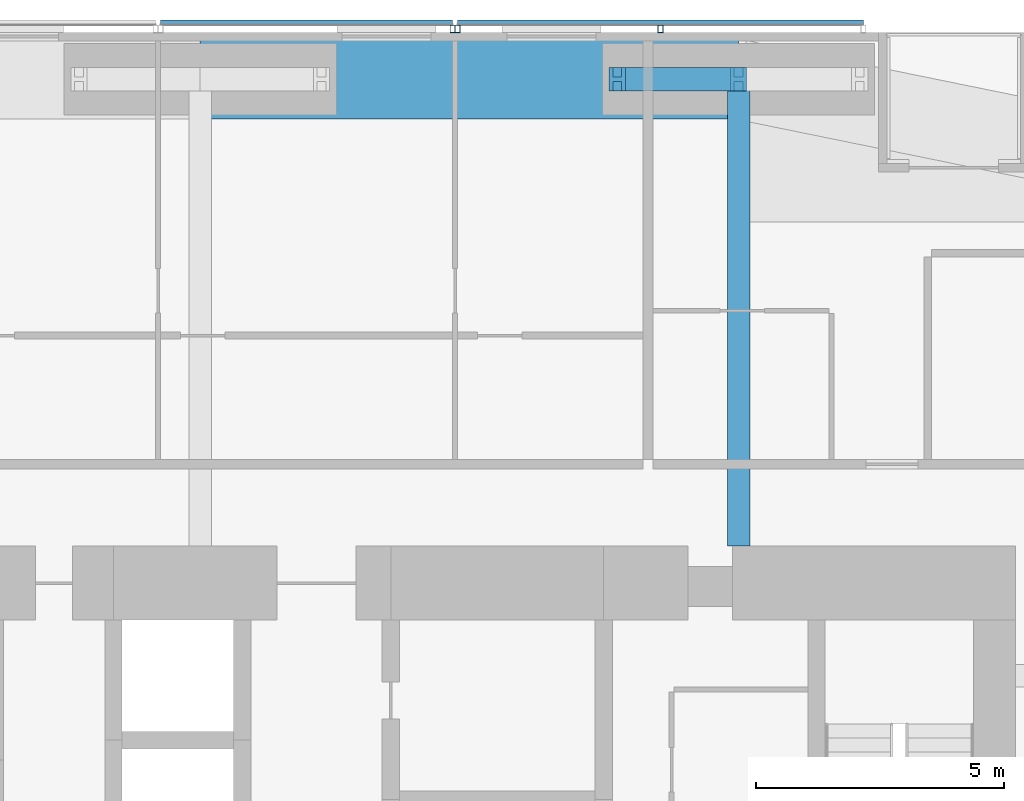
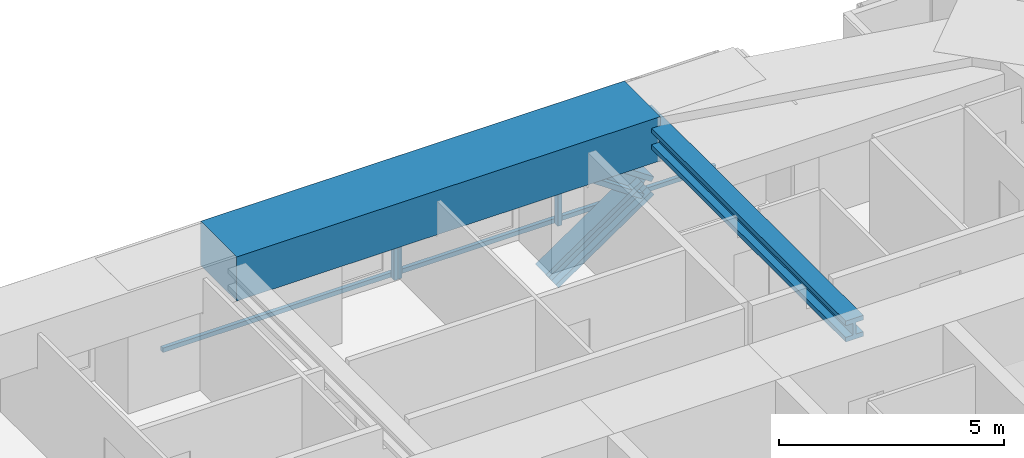
# One storey, part 13 of 23: 7 members, 2 beams, 2 elements without a shape of their own.
"""IFC4 building model written with IfcOpenShell, lengths in metres."""

from ifc_helpers import new_model, si_unit, direction, frame, origin, origin_2d, place, context, subcontext, project, spatial, rectangle, hollow_rectangle, i_section, extrude, material, material_profile, profile_set, type_object, element, aggregate, save


model = new_model("IFC4")

# Units and contexts
model_context = context("Model", 3, precision=1e-05, world=origin(), true_north=direction((0.0, 1.0)))
body_context = subcontext(model_context, "Body", "Model", "MODEL_VIEW")
ifc_project = project(units=[si_unit("LENGTHUNIT", "METRE"), si_unit("AREAUNIT", "SQUARE_METRE"), si_unit("VOLUMEUNIT", "CUBIC_METRE"), si_unit("PLANEANGLEUNIT", "RADIAN"), si_unit("MASSUNIT", "GRAM", prefix="KILO")], contexts=[model_context])

# Site, building, storey
site_placement = place(None, origin())
site = spatial("IfcSite", under=ifc_project, at=site_placement, CompositionType="ELEMENT")
building_placement = place(site_placement, origin())
building = spatial("IfcBuilding", under=site, at=building_placement, Name="Jalousie Tower", CompositionType="ELEMENT")
storey_placement = place(building_placement, frame((0.0, 0.0, 114.89990234375)))
storey = spatial("IfcBuildingStorey", under=building, at=storey_placement, Name="L31", CompositionType="ELEMENT", Elevation=114.89990234375)

# Beam
ifc_material_1 = material(Name="Steel ASTM A992 Grade 50", Category="steel")
ifc_material_profile_1 = material_profile(ifc_material_1, i_section(OverallWidth=0.45458984375, OverallDepth=0.569091796875, WebThickness=0.077880859375, FlangeThickness=0.124755859375, at=origin_2d()), Name="W14X730")
ifc_profile_set_1 = profile_set([ifc_material_profile_1], Name="Steel ASTM A992 Grade 50")
beam_type_1 = type_object("IfcBeamType", Name="LEAN COLLECTOR W14X730", PredefinedType="BEAM", material=ifc_profile_set_1)
beam_1_placement = place(storey_placement, frame((38.625, 37.050048828125, 2.82568359375), z_axis=(0.0, -1.0, 0.0), x_axis=(1.0, 0.0, 0.0)))
element("IfcBeam", 1, at=beam_1_placement, inside=storey, type_object=beam_type_1, Name="Lean collector under L32", PredefinedType="BEAM", context=body_context, shape_type="SweptSolid", body=[
    extrude(i_section(OverallWidth=0.45458984375, OverallDepth=0.569091796875, WebThickness=0.077880859375, FlangeThickness=0.124755859375, at=origin_2d()), origin(), (0.0, 0.0, 1.0), 9.425048828125),
])

# Members
ifc_material_2 = material(Name="Steel ASTM A992 Grade 50", Category="steel")
ifc_material_profile_2 = material_profile(ifc_material_2, i_section(OverallWidth=0.472412109375, OverallDepth=0.5791015625, WebThickness=0.094970703125, FlangeThickness=0.1298828125, at=origin_2d()), Name="W14X808")
ifc_profile_set_2 = profile_set([ifc_material_profile_2], Name="Steel ASTM A992 Grade 50")
member_type_1 = type_object("IfcMemberType", Name="PERIMETER BRACE W14X808", PredefinedType="BRACE", material=ifc_profile_set_2)
for number, where, z_axis, x_axis, name in (
    (2, (36.175048828125, 37.050048828125, -0.599853515625), (0.825500916831, 0.0, 0.564400776321), (0.0, 1.0, 0.0), "Perimeter brace 09 L31 part 1"),
    (3, (38.625, 37.050048828125, 1.0751953125), (-0.825539243753, 0.0, 0.564344714713), (0.0, -1.0, 0.0), "Perimeter brace 09 L31 part 4"),
):
    element("IfcMember", number, at=place(storey_placement, frame(where, z_axis=z_axis, x_axis=x_axis)), inside=storey, type_object=member_type_1, Name=name, PredefinedType="BRACE", context=body_context, shape_type="SweptSolid", body=[
        extrude(i_section(OverallWidth=0.472412109375, OverallDepth=0.5791015625, WebThickness=0.094970703125, FlangeThickness=0.1298828125, at=origin_2d()), origin(), (0.0, 0.0, 1.0), 2.9677734375),
    ])

# Beam
ifc_material_3 = material(Name="Concrete f'c 40 MPa", Category="concrete")
ifc_material_profile_3 = material_profile(ifc_material_3, rectangle(XDim=1.60009765625, YDim=1.199951171875, at=origin_2d()), Name="RC 1600x1200")
ifc_profile_set_3 = profile_set([ifc_material_profile_3], Name="Concrete f'c 40 MPa")
beam_type_2 = type_object("IfcBeamType", Name="RC BEAM 1600x1200", PredefinedType="BEAM", material=ifc_profile_set_3)
beam_2_placement = place(storey_placement, frame((38.625, 37.050048828125, 2.75), z_axis=(-1.0, 0.0, 0.0), x_axis=(0.0, -1.0, 0.0)))
element("IfcBeam", 4, at=beam_2_placement, inside=storey, type_object=beam_type_2, Name="Edge band beam 09-10 under L32", PredefinedType="BEAM", context=body_context, shape_type="SweptSolid", body=[
    extrude(rectangle(XDim=1.60009765625, YDim=1.199951171875, at=origin_2d()), origin(), (0.0, 0.0, 1.0), 10.875),
])

# Curtain wall, members
ifc_material_4 = material(Name="Perforated aluminium sheet", Category="aluminium")
curtain_wall_type = type_object("IfcCurtainWallType", Name="SOLAR SCREEN SS-1", PredefinedType="USERDEFINED", material=ifc_material_4)
curtain_wall_1_placement = place(storey_placement, origin())
curtain_wall_1 = element("IfcCurtainWall", 5, at=curtain_wall_1_placement, inside=storey, type_object=curtain_wall_type, Name="Solar screen L31", ObjectType="SOLAR SCREEN SS-1", PredefinedType="USERDEFINED")
ifc_material_5 = material(Name="Steel ASTM A500 Grade C", Category="steel")
ifc_material_profile_4 = material_profile(ifc_material_5, hollow_rectangle(XDim=0.1015625, YDim=0.15234375, WallThickness=0.00634765625, at=origin_2d()), Name="HSS6X4X1/4")
ifc_profile_set_4 = profile_set([ifc_material_profile_4], Name="Steel ASTM A500 Grade C")
member_type_2 = type_object("IfcMemberType", Name="SOLAR SCREEN SS-1 MULLION", PredefinedType="MULLION", material=ifc_profile_set_4)
member_1_placement = place(storey_placement, frame((37.04931640625, 38.0712890625, -0.119873046875), z_axis=(0.0, 0.0, 1.0), x_axis=(-1.0, 0.0, 0.0)))
member_1 = element("IfcMember", 6, at=member_1_placement, type_object=member_type_2, Name="SS1 post 2", PredefinedType="MULLION", context=body_context, shape_type="SweptSolid", body=[
    extrude(hollow_rectangle(XDim=0.1015625, YDim=0.15234375, WallThickness=0.00634765625, at=origin_2d()), origin(), (0.0, 0.0, 1.0), 3.22998046875),
])
member_2_placement = place(storey_placement, frame((32.949951171875, 38.0712890625, -0.119873046875), z_axis=(0.0, 0.0, 1.0), x_axis=(-1.0, 0.0, 0.0)))
member_2 = element("IfcMember", 7, at=member_2_placement, type_object=member_type_2, Name="SS1 post 3", PredefinedType="MULLION", context=body_context, shape_type="SweptSolid", body=[
    extrude(hollow_rectangle(XDim=0.1015625, YDim=0.15234375, WallThickness=0.00634765625, at=origin_2d()), origin(), (0.0, 0.0, 1.0), 3.22998046875),
])

# Curtain wall, member
curtain_wall_2_placement = place(storey_placement, origin())
curtain_wall_2 = element("IfcCurtainWall", 8, at=curtain_wall_2_placement, inside=storey, type_object=curtain_wall_type, Name="Solar screen L31", ObjectType="SOLAR SCREEN SS-1", PredefinedType="USERDEFINED")
member_3_placement = place(storey_placement, frame((32.85009765625, 38.0712890625, -0.119873046875), z_axis=(0.0, 0.0, 1.0), x_axis=(-1.0, 0.0, 0.0)))
member_3 = element("IfcMember", 9, at=member_3_placement, type_object=member_type_2, Name="SS1 post 1", PredefinedType="MULLION", context=body_context, shape_type="SweptSolid", body=[
    extrude(hollow_rectangle(XDim=0.1015625, YDim=0.15234375, WallThickness=0.00634765625, at=origin_2d()), origin(), (0.0, 0.0, 1.0), 3.22998046875),
])

# Member
ifc_material_6 = material(Name="Extruded aluminium screen rail", Category="aluminium")
ifc_material_profile_5 = material_profile(ifc_material_6, rectangle(XDim=0.1015625, YDim=0.1201171875, at=origin_2d()), Name="RAIL 102x120")
ifc_profile_set_5 = profile_set([ifc_material_profile_5], Name="Extruded aluminium screen rail")
member_type_3 = type_object("IfcMemberType", Name="SOLAR SCREEN SS-1 TRANSOM", PredefinedType="USERDEFINED", material=ifc_profile_set_5)
member_4_placement = place(storey_placement, frame((41.148681640625, 38.1982421875, -0.059814453125), z_axis=(-1.0, 0.0, 0.0), x_axis=(0.0, -1.0, 0.0)))
member_4 = element("IfcMember", 10, at=member_4_placement, type_object=member_type_3, Name="SS1 rail", ObjectType="TRANSOM", PredefinedType="USERDEFINED", context=body_context, shape_type="SweptSolid", body=[
    extrude(rectangle(XDim=0.1015625, YDim=0.1201171875, at=origin_2d()), origin(), (0.0, 0.0, 1.0), 8.19873046875),
])

aggregate(curtain_wall_1, [member_1, member_2, member_4])

member_5_placement = place(storey_placement, frame((32.85009765625, 38.1982421875, -0.059814453125), z_axis=(-1.0, 0.0, 0.0), x_axis=(0.0, -1.0, 0.0)))
member_5 = element("IfcMember", 11, at=member_5_placement, type_object=member_type_3, Name="SS1 rail", ObjectType="TRANSOM", PredefinedType="USERDEFINED", context=body_context, shape_type="SweptSolid", body=[
    extrude(rectangle(XDim=0.1015625, YDim=0.1201171875, at=origin_2d()), origin(), (0.0, 0.0, 1.0), 5.900146484375),
])

aggregate(curtain_wall_2, [member_3, member_5])

save(model, "model.ifc")
